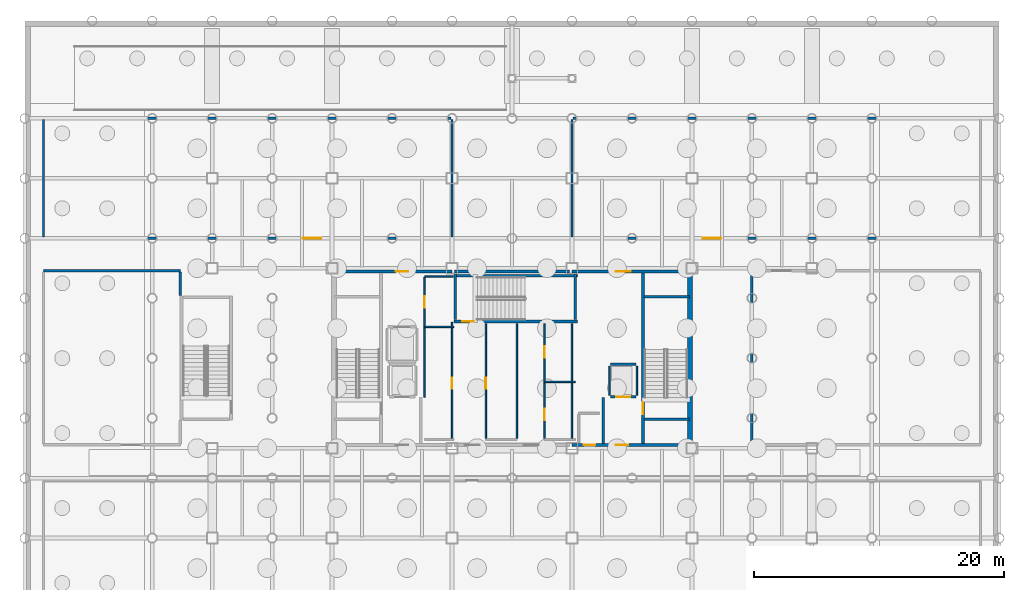
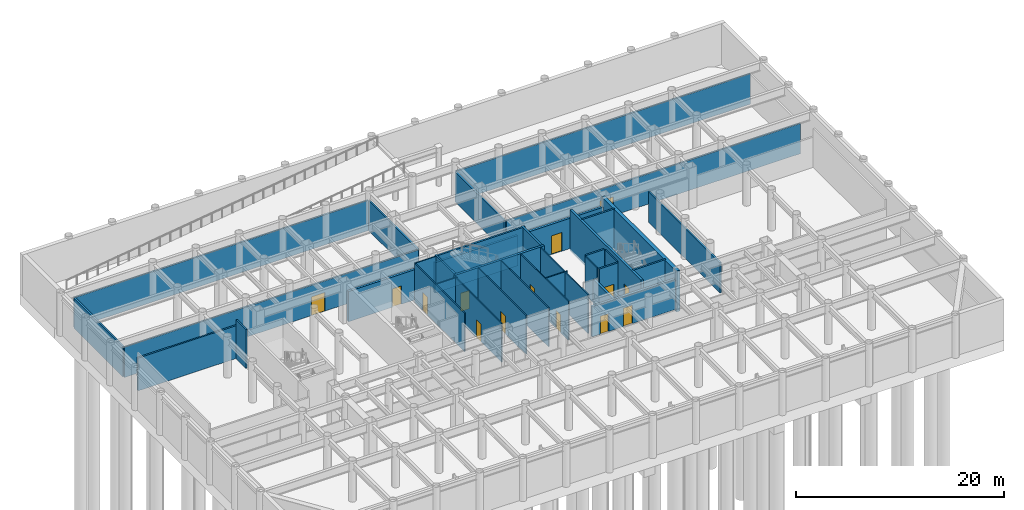
# One storey, part 11 of 17: 36 walls, 14 doors, 14 openings.
"""IFC4 building model written with IfcOpenShell, lengths in metres."""

from ifc_helpers import new_model, si_unit, direction, frame, frame_2d, origin, place, context, subcontext, project, spatial, rectangle, extrude, material, layer, layer_set, type_object, element, fill, save


model = new_model("IFC4")

# Units and contexts
model_context = context("Model", 3, precision=1e-05, world=origin(), true_north=direction((0.0, 1.0)))
body_context = subcontext(model_context, "Body", "Model", "MODEL_VIEW")
ifc_project = project(units=[si_unit("LENGTHUNIT", "METRE"), si_unit("AREAUNIT", "SQUARE_METRE"), si_unit("VOLUMEUNIT", "CUBIC_METRE"), si_unit("PLANEANGLEUNIT", "RADIAN"), si_unit("MASSUNIT", "GRAM", prefix="KILO")], contexts=[model_context])

# Site, building, storey
site_placement = place(None, origin())
site = spatial("IfcSite", under=ifc_project, at=site_placement, CompositionType="ELEMENT")
building_placement = place(site_placement, origin())
building = spatial("IfcBuilding", under=site, at=building_placement, Name="Kallvorn Hotel Tower", CompositionType="ELEMENT")
storey_placement = place(building_placement, frame((0.0, 0.0, -10.199951171875)))
storey = spatial("IfcBuildingStorey", under=building, at=storey_placement, Name="B2", CompositionType="ELEMENT", Elevation=-10.199951171875)

# Walls
ifc_material_1 = material(Name="Concrete C50/60", Category="concrete")
ifc_layer_1 = layer(ifc_material_1, 0.39990234375)
ifc_layer_set_1 = layer_set([ifc_layer_1], Name="WL_CORE_400")
wall_type_1 = type_object("IfcWallType", Name="WL_CORE_400", PredefinedType="SHEAR", material=ifc_layer_set_1)
wall_1_placement = place(storey_placement, frame((14.264892578125, -7.199951171875, -0.25), z_axis=(0.0, 0.0, 1.0), x_axis=(0.0, 1.0, 0.0)))
element("IfcWall", 1, at=wall_1_placement, inside=storey, type_object=wall_type_1, Name="B2 Core East Shear Wall", PredefinedType="SHEAR", context=body_context, shape_type="SweptSolid", body=[
    extrude(rectangle(XDim=14.39990234375, YDim=0.39990234375, at=frame_2d((7.199951171875, 0.0))), origin(), (0.0, 0.0, 1.0), 4.800048828125),
])
ifc_material_2 = material(Name="Fire-rated double-layer acoustic gypsum drywall EI 60")
ifc_layer_2 = layer(ifc_material_2, 0.179931640625)
ifc_layer_set_2 = layer_set([ifc_layer_2], Name="WL_CORR_180")
wall_type_2 = type_object("IfcWallType", Name="WL_CORR_180", PredefinedType="PARTITIONING", material=ifc_layer_set_2)
wall_2_placement = place(storey_placement, frame((-37.5, 7.0, 0.0), z_axis=(0.0, 0.0, 1.0), x_axis=(1.0, 0.0, 0.0)))
element("IfcWall", 2, at=wall_2_placement, inside=storey, type_object=wall_type_2, Name="B2 Central Chiller and Heat-Recovery Plant Room Partition", PredefinedType="PARTITIONING", context=body_context, shape_type="SweptSolid", body=[
    extrude(rectangle(XDim=10.949951171875, YDim=0.179931640625, at=frame_2d((5.47509765625, 0.0))), origin(), (0.0, 0.0, 1.0), 3.849853515625),
])

# Wall, opening, door
wall_3_placement = place(storey_placement, frame((-37.5, 9.60009765625, 0.0), z_axis=(0.0, 0.0, 1.0), x_axis=(1.0, 0.0, 0.0)))
wall_3 = element("IfcWall", 3, at=wall_3_placement, inside=storey, type_object=wall_type_2, Name="B2 Potable Water and Rainwater Cistern Hall Partition", PredefinedType="PARTITIONING", context=body_context, shape_type="SweptSolid", body=[
    extrude(rectangle(XDim=32.6201171875, YDim=0.179931640625, at=frame_2d((16.31005859375, 0.0))), origin(), (0.0, 0.0, 1.0), 3.550048828125),
])
opening_1_placement = place(wall_3_placement, frame((20.75, 0.0, 0.0)))
opening_1 = element("IfcOpeningElement", 4, at=opening_1_placement, cuts=wall_3, Name="Opening PD1", PredefinedType="OPENING", context=body_context, shape_type="SweptSolid", body=[
    extrude(rectangle(XDim=1.5, YDim=2.199951171875, at=frame_2d((0.75, 1.10009765625))), frame((0.0, 0.104736328125, 0.0), z_axis=(0.0, -1.0, 0.0), x_axis=(1.0, 0.0, 0.0)), (0.0, 0.0, 1.0), 0.2099609375),
])
ifc_material_3 = material(Name="Galvanised painted steel fire-rated door assembly", Category="steel")
door_type_1 = type_object("IfcDoorType", Name="DR_PLANT_1500x2200", OperationType="DOUBLE_DOOR_SINGLE_SWING", PredefinedType="DOOR", material=ifc_material_3)
door_1_placement = place(opening_1_placement, origin())
door_1 = element("IfcDoor", 5, at=door_1_placement, inside=storey, type_object=door_type_1, Name="B2 Potable Water and Rainwater Cistern Hall Door", OperationType="DOUBLE_DOOR_SINGLE_SWING", OverallHeight=2.199951171875, OverallWidth=1.5, PredefinedType="DOOR", context=body_context, shape_type="SweptSolid", body=[
    extrude(rectangle(XDim=1.5, YDim=2.199951171875, at=frame_2d((0.75, 1.10009765625))), frame((0.0, 0.02490234375, 0.0), z_axis=(0.0, -1.0, 0.0), x_axis=(1.0, 0.0, 0.0)), (0.0, 0.0, 1.0), 0.050048828125),
])
fill(opening_1, door_1)

wall_4_placement = place(storey_placement, frame((4.8798828125, 9.60009765625, 0.0), z_axis=(0.0, 0.0, 1.0), x_axis=(1.0, 0.0, 0.0)))
wall_4 = element("IfcWall", 6, at=wall_4_placement, inside=storey, type_object=wall_type_2, Name="B2 Fire Reserve Tank and NFPA 20 Pump Room Partition", PredefinedType="PARTITIONING", context=body_context, shape_type="SweptSolid", body=[
    extrude(rectangle(XDim=32.6201171875, YDim=0.179931640625, at=frame_2d((16.31005859375, 0.0))), origin(), (0.0, 0.0, 1.0), 3.550048828125),
])
opening_2_placement = place(wall_4_placement, frame((10.3701171875, 0.0, 0.0)))
opening_2 = element("IfcOpeningElement", 7, at=opening_2_placement, cuts=wall_4, Name="Opening PD1", PredefinedType="OPENING", context=body_context, shape_type="SweptSolid", body=[
    extrude(rectangle(XDim=1.5, YDim=2.199951171875, at=frame_2d((0.75, 1.10009765625))), frame((0.0, 0.104736328125, 0.0), z_axis=(0.0, -1.0, 0.0), x_axis=(1.0, 0.0, 0.0)), (0.0, 0.0, 1.0), 0.2099609375),
])
door_2_placement = place(opening_2_placement, origin())
door_2 = element("IfcDoor", 8, at=door_2_placement, inside=storey, type_object=door_type_1, Name="B2 Fire Reserve Tank and NFPA 20 Pump Room Door", OperationType="DOUBLE_DOOR_SINGLE_SWING", OverallHeight=2.199951171875, OverallWidth=1.5, PredefinedType="DOOR", context=body_context, shape_type="SweptSolid", body=[
    extrude(rectangle(XDim=1.5, YDim=2.199951171875, at=frame_2d((0.75, 1.10009765625))), frame((0.0, 0.02490234375, 0.0), z_axis=(0.0, -1.0, 0.0), x_axis=(1.0, 0.0, 0.0)), (0.0, 0.0, 1.0), 0.050048828125),
])
fill(opening_2, door_2)

# Walls
for number, where, z_axis, x_axis, name in (
    (9, (-37.5, 19.199951171875, 0.0), (0.0, 0.0, 1.0), (1.0, 0.0, 0.0), "B2 Potable Water and Rainwater Cistern Hall Partition"),
    (10, (4.8798828125, 19.199951171875, 0.0), (0.0, 0.0, 1.0), (1.0, 0.0, 0.0), "B2 Fire Reserve Tank and NFPA 20 Pump Room Partition"),
):
    element("IfcWall", number, at=place(storey_placement, frame(where, z_axis=z_axis, x_axis=x_axis)), inside=storey, type_object=wall_type_2, Name=name, PredefinedType="PARTITIONING", context=body_context, shape_type="SweptSolid", body=[
        extrude(rectangle(XDim=32.6201171875, YDim=0.179931640625, at=frame_2d((16.31005859375, 0.0))), origin(), (0.0, 0.0, 1.0), 3.550048828125),
    ])
wall_5_placement = place(storey_placement, frame((-37.5, 9.68505859375, 0.0), z_axis=(0.0, 0.0, 1.0), x_axis=(0.0, 1.0, 0.0)))
element("IfcWall", 11, at=wall_5_placement, inside=storey, type_object=wall_type_2, Name="B2 Potable Water and Rainwater Cistern Hall Partition", PredefinedType="PARTITIONING", context=body_context, shape_type="SweptSolid", body=[
    extrude(rectangle(XDim=9.4150390625, YDim=0.179931640625, at=frame_2d((4.70751953125, 0.0))), origin(), (0.0, 0.0, 1.0), 3.550048828125),
])
wall_6_placement = place(storey_placement, frame((-26.550048828125, 5.0, 0.0), z_axis=(0.0, 0.0, 1.0), x_axis=(0.0, 1.0, 0.0)))
element("IfcWall", 12, at=wall_6_placement, inside=storey, type_object=wall_type_2, Name="B2 Central Chiller and Heat-Recovery Plant Room Partition", PredefinedType="PARTITIONING", context=body_context, shape_type="SweptSolid", body=[
    extrude(rectangle(XDim=1.9150390625, YDim=0.179931640625, at=frame_2d((0.95751953125, 0.0))), origin(), (0.0, 0.0, 1.0), 4.550048828125),
])
for number, where, z_axis, x_axis, name in (
    (13, (-4.800048828125, 9.68505859375, 0.0), (0.0, 0.0, 1.0), (0.0, 1.0, 0.0), "B2 Potable Water and Rainwater Cistern Hall Partition"),
    (14, (4.800048828125, 9.68505859375, 0.0), (0.0, 0.0, 1.0), (0.0, 1.0, 0.0), "B2 Fire Reserve Tank and NFPA 20 Pump Room Partition"),
):
    element("IfcWall", number, at=place(storey_placement, frame(where, z_axis=z_axis, x_axis=x_axis)), inside=storey, type_object=wall_type_2, Name=name, PredefinedType="PARTITIONING", context=body_context, shape_type="SweptSolid", body=[
        extrude(rectangle(XDim=9.4150390625, YDim=0.179931640625, at=frame_2d((4.70751953125, 0.0))), origin(), (0.0, 0.0, 1.0), 3.550048828125),
    ])
wall_7_placement = place(storey_placement, frame((19.199951171875, -6.848388671875, 0.0), z_axis=(0.0, 0.0, 1.0), x_axis=(0.0, 1.0, 0.0)))
element("IfcWall", 15, at=wall_7_placement, inside=storey, type_object=wall_type_2, Name="B2 Medium-Voltage Substation and Standby Generator Hall Partition", PredefinedType="PARTITIONING", context=body_context, shape_type="SweptSolid", body=[
    extrude(rectangle(XDim=13.763427734375, YDim=0.179931640625, at=frame_2d((6.8818359375, 0.0))), origin(), (0.0, 0.0, 1.0), 3.550048828125),
])
ifc_material_4 = material(Name="Concrete C40/50", Category="concrete")
ifc_layer_3 = layer(ifc_material_4, 0.219970703125)
ifc_layer_set_3 = layer_set([ifc_layer_3], Name="WL_FFL_220")
wall_type_3 = type_object("IfcWallType", Name="WL_FFL_220", PredefinedType="SOLIDWALL", material=ifc_layer_set_3)
wall_8_placement = place(storey_placement, frame((7.300048828125, -6.820068359375, 0.0), z_axis=(0.0, 0.0, 1.0), x_axis=(0.0, 1.0, 0.0)))
element("IfcWall", 16, at=wall_8_placement, inside=storey, type_object=wall_type_3, Name="B2 Firefighting Lobby East Divider Wall", PredefinedType="SOLIDWALL", context=body_context, shape_type="SweptSolid", body=[
    extrude(rectangle(XDim=3.670166015625, YDim=0.219970703125, at=frame_2d((1.8349609375, 0.0))), origin(), (0.0, 0.0, 1.0), 3.550048828125),
])
ifc_material_5 = material(Name="Concrete C40/50", Category="concrete")
ifc_layer_4 = layer(ifc_material_5, 0.199951171875)
ifc_layer_set_4 = layer_set([ifc_layer_4], Name="WL_HOIST_200")
wall_type_4 = type_object("IfcWallType", Name="WL_HOIST_200", PredefinedType="SOLIDWALL", material=ifc_layer_set_4)
for number, where, z_axis, x_axis, name in (
    (17, (10.550048828125, -4.89990234375, -0.25), (0.0, 0.0, 1.0), (1.0, 0.0, 0.0), "B2 Stair ST2 South Wall"),
    (18, (10.550048828125, 4.89990234375, -0.25), (0.0, 0.0, 1.0), (1.0, 0.0, 0.0), "B2 Stair ST2 North Wall"),
):
    element("IfcWall", number, at=place(storey_placement, frame(where, z_axis=z_axis, x_axis=x_axis)), inside=storey, type_object=wall_type_4, Name=name, PredefinedType="SOLIDWALL", context=body_context, shape_type="SweptSolid", body=[
        extrude(rectangle(XDim=3.64990234375, YDim=0.199951171875, at=frame_2d((1.824951171875, 0.0))), origin(), (0.0, 0.0, 1.0), 4.800048828125),
    ])
wall_9_placement = place(storey_placement, frame((-4.64990234375, 6.610107421875, -0.25), z_axis=(0.0, 0.0, 1.0), x_axis=(1.0, 0.0, 0.0)))
element("IfcWall", 19, at=wall_9_placement, inside=storey, type_object=wall_type_4, Name="B2 Stair ST3 Shaft North Wall", PredefinedType="SOLIDWALL", context=body_context, shape_type="SweptSolid", body=[
    extrude(rectangle(XDim=9.89990234375, YDim=0.199951171875, at=frame_2d((4.949951171875, 0.0))), origin(), (0.0, 0.0, 1.0), 4.800048828125),
])
for number, where, z_axis, x_axis, name in (
    (20, (-4.550048828125, 3.080078125, -0.25), (0.0, 0.0, 1.0), (0.0, 1.0, 0.0), "B2 Stair ST3 West Wall"),
    (21, (5.06005859375, 3.080078125, -0.25), (0.0, 0.0, 1.0), (0.0, 1.0, 0.0), "B2 Stair ST3 East Wall"),
):
    element("IfcWall", number, at=place(storey_placement, frame(where, z_axis=z_axis, x_axis=x_axis)), inside=storey, type_object=wall_type_4, Name=name, PredefinedType="SOLIDWALL", context=body_context, shape_type="SweptSolid", body=[
        extrude(rectangle(XDim=3.739990234375, YDim=0.199951171875, at=frame_2d((1.8701171875, 0.0))), origin(), (0.0, 0.0, 1.0), 4.800048828125),
    ])

# Wall, opening, door
wall_10_placement = place(storey_placement, frame((7.8798828125, -3.10009765625, 0.0), z_axis=(0.0, 0.0, 1.0), x_axis=(1.0, 0.0, 0.0)))
wall_10 = element("IfcWall", 22, at=wall_10_placement, inside=storey, type_object=wall_type_4, Name="B2 FL-2 Landing Wall", PredefinedType="SOLIDWALL", context=body_context, shape_type="SweptSolid", body=[
    extrude(rectangle(XDim=2.0400390625, YDim=0.199951171875, at=frame_2d((1.02001953125, 0.0))), origin(), (0.0, 0.0, 1.0), 4.550048828125),
])
opening_3_placement = place(wall_10_placement, frame((0.469970703125, 0.0, 0.0)))
opening_3 = element("IfcOpeningElement", 23, at=opening_3_placement, cuts=wall_10, Name="Opening LD-FL-2", PredefinedType="OPENING", context=body_context, shape_type="SweptSolid", body=[
    extrude(rectangle(XDim=1.10009765625, YDim=2.199951171875, at=frame_2d((0.550048828125, 1.10009765625))), frame((0.0, 0.114990234375, 0.0), z_axis=(0.0, -1.0, 0.0), x_axis=(1.0, 0.0, 0.0)), (0.0, 0.0, 1.0), 0.22998046875),
])
ifc_material_6 = material(Name="Brushed stainless-steel automatic sliding lift landing door", Category="steel")
door_type_2 = type_object("IfcDoorType", Name="LD_PASS_1100x2200", OperationType="SLIDING_TO_LEFT", PredefinedType="DOOR", material=ifc_material_6)
door_3_placement = place(opening_3_placement, origin())
door_3 = element("IfcDoor", 24, at=door_3_placement, inside=storey, type_object=door_type_2, Name="B2 Lift Landing Sliding Door LD-FL-2", OperationType="SLIDING_TO_LEFT", OverallHeight=2.199951171875, OverallWidth=1.10009765625, PredefinedType="DOOR", context=body_context, shape_type="SweptSolid", body=[
    extrude(rectangle(XDim=1.10009765625, YDim=2.199951171875, at=frame_2d((0.550048828125, 1.10009765625))), frame((0.0, 0.02490234375, 0.0), z_axis=(0.0, -1.0, 0.0), x_axis=(1.0, 0.0, 0.0)), (0.0, 0.0, 1.0), 0.050048828125),
])
fill(opening_3, door_3)

# Walls
wall_11_placement = place(storey_placement, frame((7.8798828125, -0.5, 0.0), z_axis=(0.0, 0.0, 1.0), x_axis=(1.0, 0.0, 0.0)))
element("IfcWall", 25, at=wall_11_placement, inside=storey, type_object=wall_type_4, Name="B2 FL-2 Rear Shaft Wall", PredefinedType="SOLIDWALL", context=body_context, shape_type="SweptSolid", body=[
    extrude(rectangle(XDim=2.0400390625, YDim=0.199951171875, at=frame_2d((1.02001953125, 0.0))), origin(), (0.0, 0.0, 1.0), 4.550048828125),
])
ifc_material_7 = material(Name="Fire-rated double-layer acoustic gypsum drywall EI 60")
ifc_layer_5 = layer(ifc_material_7, 0.1201171875)
ifc_layer_set_5 = layer_set([ifc_layer_5], Name="WL_INT_120")
wall_type_5 = type_object("IfcWallType", Name="WL_INT_120", PredefinedType="PARTITIONING", material=ifc_layer_set_5)
for number, where, z_axis, x_axis, name in (
    (26, (7.800048828125, -2.9599609375, 0.0), (0.0, 0.0, 1.0), (0.0, 1.0, 0.0), "B2 FL-2 West Shaft Wall"),
    (27, (10.0, -2.9599609375, 0.0), (0.0, 0.0, 1.0), (0.0, 1.0, 0.0), "B2 FL-2 East Shaft Wall"),
):
    element("IfcWall", number, at=place(storey_placement, frame(where, z_axis=z_axis, x_axis=x_axis)), inside=storey, type_object=wall_type_5, Name=name, PredefinedType="PARTITIONING", context=body_context, shape_type="SweptSolid", body=[
        extrude(rectangle(XDim=2.320068359375, YDim=0.1201171875, at=frame_2d((1.16015625, 0.0))), origin(), (0.0, 0.0, 1.0), 4.550048828125),
    ])
wall_12_placement = place(storey_placement, frame((2.60009765625, -1.89990234375, 0.0), z_axis=(0.0, 0.0, 1.0), x_axis=(1.0, 0.0, 0.0)))
element("IfcWall", 28, at=wall_12_placement, inside=storey, type_object=wall_type_5, Name="B2 East Core Amenities and Minibar Store Partition", PredefinedType="PARTITIONING", context=body_context, shape_type="SweptSolid", body=[
    extrude(rectangle(XDim=2.449951171875, YDim=0.1201171875, at=frame_2d((1.22509765625, 0.0))), origin(), (0.0, 0.0, 1.0), 4.550048828125),
])
wall_13_placement = place(storey_placement, frame((-7.0, 2.5, 0.0), z_axis=(0.0, 0.0, 1.0), x_axis=(1.0, 0.0, 0.0)))
element("IfcWall", 29, at=wall_13_placement, inside=storey, type_object=wall_type_5, Name="B2 Basement Core Cleaners Store Partition", PredefinedType="PARTITIONING", context=body_context, shape_type="SweptSolid", body=[
    extrude(rectangle(XDim=2.35009765625, YDim=0.1201171875, at=frame_2d((1.175048828125, 0.0))), origin(), (0.0, 0.0, 1.0), 4.550048828125),
])
wall_14_placement = place(storey_placement, frame((-7.0, 6.550048828125, 0.0), z_axis=(0.0, 0.0, 1.0), x_axis=(1.0, 0.0, 0.0)))
element("IfcWall", 30, at=wall_14_placement, inside=storey, type_object=wall_type_5, Name="B2 Basement Core Cleaners Store Partition", PredefinedType="PARTITIONING", context=body_context, shape_type="SweptSolid", body=[
    extrude(rectangle(XDim=2.31005859375, YDim=0.1201171875, at=frame_2d((1.155029296875, 0.0))), origin(), (0.0, 0.0, 1.0), 4.550048828125),
])

# Wall, opening, door
wall_15_placement = place(storey_placement, frame((-7.0, -3.110107421875, 0.0), z_axis=(0.0, 0.0, 1.0), x_axis=(0.0, 1.0, 0.0)))
wall_15 = element("IfcWall", 31, at=wall_15_placement, inside=storey, type_object=wall_type_5, Name="B2 Basement Core Linen and Equipment Store Partition", PredefinedType="PARTITIONING", context=body_context, shape_type="SweptSolid", body=[
    extrude(rectangle(XDim=9.5751953125, YDim=0.1201171875, at=frame_2d((4.78759765625, 0.0))), origin(), (0.0, 0.0, 1.0), 4.550048828125),
])
opening_4_placement = place(wall_15_placement, frame((7.159912109375, 0.0, 0.0)))
opening_4 = element("IfcOpeningElement", 32, at=opening_4_placement, cuts=wall_15, Name="Opening SVD1", PredefinedType="OPENING", context=body_context, shape_type="SweptSolid", body=[
    extrude(rectangle(XDim=0.89990234375, YDim=2.10009765625, at=frame_2d((0.449951171875, 1.050048828125))), frame((0.0, 0.074951171875, 0.0), z_axis=(0.0, -1.0, 0.0), x_axis=(1.0, 0.0, 0.0)), (0.0, 0.0, 1.0), 0.150146484375),
])
ifc_material_8 = material(Name="Galvanised painted steel fire-rated door assembly", Category="steel")
door_type_3 = type_object("IfcDoorType", Name="DR_SERV_900x2100", OperationType="NOTDEFINED", PredefinedType="DOOR", material=ifc_material_8)
door_4_placement = place(opening_4_placement, origin())
door_4 = element("IfcDoor", 33, at=door_4_placement, inside=storey, type_object=door_type_3, Name="B2 Basement Core Cleaners Store Door", OperationType="SINGLE_SWING_LEFT", OverallHeight=2.10009765625, OverallWidth=0.89990234375, PredefinedType="DOOR", context=body_context, shape_type="SweptSolid", body=[
    extrude(rectangle(XDim=0.89990234375, YDim=2.10009765625, at=frame_2d((0.449951171875, 1.050048828125))), frame((0.0, 0.02490234375, 0.0), z_axis=(0.0, -1.0, 0.0), x_axis=(1.0, 0.0, 0.0)), (0.0, 0.0, 1.0), 0.050048828125),
])
fill(opening_4, door_4)

wall_16_placement = place(storey_placement, frame((-4.800048828125, -6.4150390625, 0.0), z_axis=(0.0, 0.0, 1.0), x_axis=(0.0, 1.0, 0.0)))
wall_16 = element("IfcWall", 34, at=wall_16_placement, inside=storey, type_object=wall_type_5, Name="B2 Basement Core Linen and Equipment Store Partition", PredefinedType="PARTITIONING", context=body_context, shape_type="SweptSolid", body=[
    extrude(rectangle(XDim=9.280029296875, YDim=0.1201171875, at=frame_2d((4.64013671875, 0.0))), origin(), (0.0, 0.0, 1.0), 4.550048828125),
])
opening_5_placement = place(wall_16_placement, frame((3.965087890625, 0.0, 0.0)))
opening_5 = element("IfcOpeningElement", 35, at=opening_5_placement, cuts=wall_16, Name="Opening SVD1", PredefinedType="OPENING", context=body_context, shape_type="SweptSolid", body=[
    extrude(rectangle(XDim=0.89990234375, YDim=2.10009765625, at=frame_2d((0.449951171875, 1.050048828125))), frame((0.0, 0.074951171875, 0.0), z_axis=(0.0, -1.0, 0.0), x_axis=(1.0, 0.0, 0.0)), (0.0, 0.0, 1.0), 0.150146484375),
])
door_5_placement = place(opening_5_placement, origin())
door_5 = element("IfcDoor", 36, at=door_5_placement, inside=storey, type_object=door_type_3, Name="B2 Basement Core Linen and Equipment Store Door", OperationType="SINGLE_SWING_LEFT", OverallHeight=2.10009765625, OverallWidth=0.89990234375, PredefinedType="DOOR", context=body_context, shape_type="SweptSolid", body=[
    extrude(rectangle(XDim=0.89990234375, YDim=2.10009765625, at=frame_2d((0.449951171875, 1.050048828125))), frame((0.0, 0.02490234375, 0.0), z_axis=(0.0, -1.0, 0.0), x_axis=(1.0, 0.0, 0.0)), (0.0, 0.0, 1.0), 0.050048828125),
])
fill(opening_5, door_5)

wall_17_placement = place(storey_placement, frame((-2.10009765625, -6.4150390625, 0.0), z_axis=(0.0, 0.0, 1.0), x_axis=(0.0, 1.0, 0.0)))
wall_17 = element("IfcWall", 37, at=wall_17_placement, inside=storey, type_object=wall_type_5, Name="B2 Basement Mechanical Services Room Partition", PredefinedType="PARTITIONING", context=body_context, shape_type="SweptSolid", body=[
    extrude(rectangle(XDim=9.1650390625, YDim=0.1201171875, at=frame_2d((4.58251953125, 0.0))), origin(), (0.0, 0.0, 1.0), 4.550048828125),
])
opening_6_placement = place(wall_17_placement, frame((3.965087890625, 0.0, 0.0)))
opening_6 = element("IfcOpeningElement", 38, at=opening_6_placement, cuts=wall_17, Name="Opening SVD1", PredefinedType="OPENING", context=body_context, shape_type="SweptSolid", body=[
    extrude(rectangle(XDim=0.89990234375, YDim=2.10009765625, at=frame_2d((0.449951171875, 1.050048828125))), frame((0.0, 0.074951171875, 0.0), z_axis=(0.0, -1.0, 0.0), x_axis=(1.0, 0.0, 0.0)), (0.0, 0.0, 1.0), 0.150146484375),
])
door_6_placement = place(opening_6_placement, origin())
door_6 = element("IfcDoor", 39, at=door_6_placement, inside=storey, type_object=door_type_3, Name="B2 Basement Mechanical Services Room Door", OperationType="SINGLE_SWING_LEFT", OverallHeight=2.10009765625, OverallWidth=0.89990234375, PredefinedType="DOOR", context=body_context, shape_type="SweptSolid", body=[
    extrude(rectangle(XDim=0.89990234375, YDim=2.10009765625, at=frame_2d((0.449951171875, 1.050048828125))), frame((0.0, 0.02490234375, 0.0), z_axis=(0.0, -1.0, 0.0), x_axis=(1.0, 0.0, 0.0)), (0.0, 0.0, 1.0), 0.050048828125),
])
fill(opening_6, door_6)

# Wall
wall_18_placement = place(storey_placement, frame((0.39990234375, -6.4150390625, 0.0), z_axis=(0.0, 0.0, 1.0), x_axis=(0.0, 1.0, 0.0)))
element("IfcWall", 40, at=wall_18_placement, inside=storey, type_object=wall_type_5, Name="B2 Basement Mechanical Services Room Partition", PredefinedType="PARTITIONING", context=body_context, shape_type="SweptSolid", body=[
    extrude(rectangle(XDim=9.1650390625, YDim=0.1201171875, at=frame_2d((4.58251953125, 0.0))), origin(), (0.0, 0.0, 1.0), 4.550048828125),
])

# Wall, openings, doors
wall_19_placement = place(storey_placement, frame((2.60009765625, -6.4150390625, 0.0), z_axis=(0.0, 0.0, 1.0), x_axis=(0.0, 1.0, 0.0)))
wall_19 = element("IfcWall", 41, at=wall_19_placement, inside=storey, type_object=wall_type_5, Name="B2 East Core Amenities and Minibar Store Partition", PredefinedType="PARTITIONING", context=body_context, shape_type="SweptSolid", body=[
    extrude(rectangle(XDim=9.1650390625, YDim=0.1201171875, at=frame_2d((4.58251953125, 0.0))), origin(), (0.0, 0.0, 1.0), 4.550048828125),
])
opening_7_placement = place(wall_19_placement, frame((1.465087890625, 0.0, 0.0)))
opening_7 = element("IfcOpeningElement", 42, at=opening_7_placement, cuts=wall_19, Name="Opening SVD1", PredefinedType="OPENING", context=body_context, shape_type="SweptSolid", body=[
    extrude(rectangle(XDim=0.89990234375, YDim=2.10009765625, at=frame_2d((0.449951171875, 1.050048828125))), frame((0.0, 0.074951171875, 0.0), z_axis=(0.0, -1.0, 0.0), x_axis=(1.0, 0.0, 0.0)), (0.0, 0.0, 1.0), 0.150146484375),
])
opening_8_placement = place(wall_19_placement, frame((6.465087890625, 0.0, 0.0)))
opening_8 = element("IfcOpeningElement", 43, at=opening_8_placement, cuts=wall_19, Name="Opening SVD1", PredefinedType="OPENING", context=body_context, shape_type="SweptSolid", body=[
    extrude(rectangle(XDim=0.89990234375, YDim=2.10009765625, at=frame_2d((0.449951171875, 1.050048828125))), frame((0.0, 0.074951171875, 0.0), z_axis=(0.0, -1.0, 0.0), x_axis=(1.0, 0.0, 0.0)), (0.0, 0.0, 1.0), 0.150146484375),
])
door_7_placement = place(opening_7_placement, origin())
door_7 = element("IfcDoor", 44, at=door_7_placement, inside=storey, type_object=door_type_3, Name="B2 East Core Amenities and Minibar Store Door", OperationType="SINGLE_SWING_LEFT", OverallHeight=2.10009765625, OverallWidth=0.89990234375, PredefinedType="DOOR", context=body_context, shape_type="SweptSolid", body=[
    extrude(rectangle(XDim=0.89990234375, YDim=2.10009765625, at=frame_2d((0.449951171875, 1.050048828125))), frame((0.0, 0.02490234375, 0.0), z_axis=(0.0, -1.0, 0.0), x_axis=(1.0, 0.0, 0.0)), (0.0, 0.0, 1.0), 0.050048828125),
])
fill(opening_7, door_7)
door_8_placement = place(opening_8_placement, origin())
door_8 = element("IfcDoor", 45, at=door_8_placement, inside=storey, type_object=door_type_3, Name="B2 East Core Cleaners and Janitor Room Door", OperationType="SINGLE_SWING_RIGHT", OverallHeight=2.10009765625, OverallWidth=0.89990234375, PredefinedType="DOOR", context=body_context, shape_type="SweptSolid", body=[
    extrude(rectangle(XDim=0.89990234375, YDim=2.10009765625, at=frame_2d((0.449951171875, 1.050048828125))), frame((0.0, 0.02490234375, 0.0), z_axis=(0.0, -1.0, 0.0), x_axis=(1.0, 0.0, 0.0)), (0.0, 0.0, 1.0), 0.050048828125),
])
fill(opening_8, door_8)

# Wall
wall_20_placement = place(storey_placement, frame((4.800048828125, -6.4150390625, 0.0), z_axis=(0.0, 0.0, 1.0), x_axis=(0.0, 1.0, 0.0)))
element("IfcWall", 46, at=wall_20_placement, inside=storey, type_object=wall_type_5, Name="B2 East Core Amenities and Minibar Store Partition", PredefinedType="PARTITIONING", context=body_context, shape_type="SweptSolid", body=[
    extrude(rectangle(XDim=9.1650390625, YDim=0.1201171875, at=frame_2d((4.58251953125, 0.0))), origin(), (0.0, 0.0, 1.0), 4.550048828125),
])

# Wall, openings, doors
ifc_material_9 = material(Name="Concrete C40/50", Category="concrete")
ifc_layer_6 = layer(ifc_material_9, 0.25)
ifc_layer_set_6 = layer_set([ifc_layer_6], Name="WL_SHAFT_250")
wall_type_6 = type_object("IfcWallType", Name="WL_SHAFT_250", PredefinedType="SOLIDWALL", material=ifc_layer_set_6)
wall_21_placement = place(storey_placement, frame((4.800048828125, -6.949951171875, 0.0), z_axis=(0.0, 0.0, 1.0), x_axis=(1.0, 0.0, 0.0)))
wall_21 = element("IfcWall", 47, at=wall_21_placement, inside=storey, type_object=wall_type_6, Name="B2 Core South-East Wall", PredefinedType="SOLIDWALL", context=body_context, shape_type="SweptSolid", body=[
    extrude(rectangle(XDim=9.39990234375, YDim=0.25, at=frame_2d((4.699951171875, 0.0))), origin(), (0.0, 0.0, 1.0), 3.550048828125),
])
opening_9_placement = place(wall_21_placement, frame((3.5, 0.0, 0.0)))
opening_9 = element("IfcOpeningElement", 48, at=opening_9_placement, cuts=wall_21, Name="Opening FD1", PredefinedType="OPENING", context=body_context, shape_type="SweptSolid", body=[
    extrude(rectangle(XDim=1.0, YDim=2.14990234375, at=frame_2d((0.5, 1.074951171875))), frame((0.0, 0.139892578125, 0.0), z_axis=(0.0, -1.0, 0.0), x_axis=(1.0, 0.0, 0.0)), (0.0, 0.0, 1.0), 0.280029296875),
])
opening_10_placement = place(wall_21_placement, frame((0.949951171875, 0.0, 0.0)))
opening_10 = element("IfcOpeningElement", 49, at=opening_10_placement, cuts=wall_21, Name="Opening SVD1", PredefinedType="OPENING", context=body_context, shape_type="SweptSolid", body=[
    extrude(rectangle(XDim=0.89990234375, YDim=2.10009765625, at=frame_2d((0.449951171875, 1.050048828125))), frame((0.0, 0.139892578125, 0.0), z_axis=(0.0, -1.0, 0.0), x_axis=(1.0, 0.0, 0.0)), (0.0, 0.0, 1.0), 0.280029296875),
])
ifc_material_10 = material(Name="Galvanised painted steel fire-rated door assembly", Category="steel")
door_type_4 = type_object("IfcDoorType", Name="DR_FFL_1000x2150", OperationType="NOTDEFINED", PredefinedType="DOOR", material=ifc_material_10)
door_9_placement = place(opening_9_placement, origin())
door_9 = element("IfcDoor", 50, at=door_9_placement, inside=storey, type_object=door_type_4, Name="B2 Firefighting Lobby East Door", OperationType="SINGLE_SWING_LEFT", OverallHeight=2.14990234375, OverallWidth=1.0, PredefinedType="DOOR", context=body_context, shape_type="SweptSolid", body=[
    extrude(rectangle(XDim=1.0, YDim=2.14990234375, at=frame_2d((0.5, 1.074951171875))), frame((0.0, 0.02490234375, 0.0), z_axis=(0.0, -1.0, 0.0), x_axis=(1.0, 0.0, 0.0)), (0.0, 0.0, 1.0), 0.050048828125),
])
fill(opening_9, door_9)
door_10_placement = place(opening_10_placement, origin())
door_10 = element("IfcDoor", 51, at=door_10_placement, inside=storey, type_object=door_type_3, Name="B2 Core Staff Restroom WC Door", OperationType="SINGLE_SWING_LEFT", OverallHeight=2.10009765625, OverallWidth=0.89990234375, PredefinedType="DOOR", context=body_context, shape_type="SweptSolid", body=[
    extrude(rectangle(XDim=0.89990234375, YDim=2.10009765625, at=frame_2d((0.449951171875, 1.050048828125))), frame((0.0, 0.02490234375, 0.0), z_axis=(0.0, -1.0, 0.0), x_axis=(1.0, 0.0, 0.0)), (0.0, 0.0, 1.0), 0.050048828125),
])
fill(opening_10, door_10)

# Wall, opening, door
wall_22_placement = place(storey_placement, frame((-14.199951171875, 6.949951171875, 0.0), z_axis=(0.0, 0.0, 1.0), x_axis=(1.0, 0.0, 0.0)))
wall_22 = element("IfcWall", 52, at=wall_22_placement, inside=storey, type_object=wall_type_6, Name="B2 Core North-West Wall", PredefinedType="SOLIDWALL", context=body_context, shape_type="SweptSolid", body=[
    extrude(rectangle(XDim=9.39990234375, YDim=0.25, at=frame_2d((4.699951171875, 0.0))), origin(), (0.0, 0.0, 1.0), 3.550048828125),
])
opening_11_placement = place(wall_22_placement, frame((4.89990234375, 0.0, 0.0)))
opening_11 = element("IfcOpeningElement", 53, at=opening_11_placement, cuts=wall_22, Name="Opening FD1", PredefinedType="OPENING", context=body_context, shape_type="SweptSolid", body=[
    extrude(rectangle(XDim=1.0, YDim=2.14990234375, at=frame_2d((0.5, 1.074951171875))), frame((0.0, 0.139892578125, 0.0), z_axis=(0.0, -1.0, 0.0), x_axis=(1.0, 0.0, 0.0)), (0.0, 0.0, 1.0), 0.280029296875),
])
door_11_placement = place(opening_11_placement, origin())
door_11 = element("IfcDoor", 54, at=door_11_placement, inside=storey, type_object=door_type_4, Name="B2 Service Lift Lobby Door", OperationType="SINGLE_SWING_RIGHT", OverallHeight=2.14990234375, OverallWidth=1.0, PredefinedType="DOOR", context=body_context, shape_type="SweptSolid", body=[
    extrude(rectangle(XDim=1.0, YDim=2.14990234375, at=frame_2d((0.5, 1.074951171875))), frame((0.0, 0.02490234375, 0.0), z_axis=(0.0, -1.0, 0.0), x_axis=(1.0, 0.0, 0.0)), (0.0, 0.0, 1.0), 0.050048828125),
])
fill(opening_11, door_11)

# Wall
wall_23_placement = place(storey_placement, frame((-4.60009765625, 6.949951171875, 0.0), z_axis=(0.0, 0.0, 1.0), x_axis=(1.0, 0.0, 0.0)))
element("IfcWall", 55, at=wall_23_placement, inside=storey, type_object=wall_type_6, Name="B2 Core North-Central Wall", PredefinedType="SOLIDWALL", context=body_context, shape_type="SweptSolid", body=[
    extrude(rectangle(XDim=9.2001953125, YDim=0.25, at=frame_2d((4.60009765625, 0.0))), origin(), (0.0, 0.0, 1.0), 3.550048828125),
])

# Wall, opening, door
wall_24_placement = place(storey_placement, frame((4.800048828125, 6.949951171875, 0.0), z_axis=(0.0, 0.0, 1.0), x_axis=(1.0, 0.0, 0.0)))
wall_24 = element("IfcWall", 56, at=wall_24_placement, inside=storey, type_object=wall_type_6, Name="B2 Core North-East Wall", PredefinedType="SOLIDWALL", context=body_context, shape_type="SweptSolid", body=[
    extrude(rectangle(XDim=9.39990234375, YDim=0.25, at=frame_2d((4.699951171875, 0.0))), origin(), (0.0, 0.0, 1.0), 3.550048828125),
])
opening_12_placement = place(wall_24_placement, frame((3.5, 0.0, 0.0)))
opening_12 = element("IfcOpeningElement", 57, at=opening_12_placement, cuts=wall_24, Name="Opening FD2", PredefinedType="OPENING", context=body_context, shape_type="SweptSolid", body=[
    extrude(rectangle(XDim=1.199951171875, YDim=2.199951171875, at=frame_2d((0.60009765625, 1.10009765625))), frame((0.0, 0.139892578125, 0.0), z_axis=(0.0, -1.0, 0.0), x_axis=(1.0, 0.0, 0.0)), (0.0, 0.0, 1.0), 0.280029296875),
])
ifc_material_11 = material(Name="Galvanised painted steel fire-rated door assembly", Category="steel")
door_type_5 = type_object("IfcDoorType", Name="DR_LOBBY_1200x2200", OperationType="DOUBLE_DOOR_SINGLE_SWING", PredefinedType="DOOR", material=ifc_material_11)
door_12_placement = place(opening_12_placement, origin())
door_12 = element("IfcDoor", 58, at=door_12_placement, inside=storey, type_object=door_type_5, Name="B2 Observatory Shuttle Lobby Door", OperationType="DOUBLE_DOOR_SINGLE_SWING", OverallHeight=2.199951171875, OverallWidth=1.199951171875, PredefinedType="DOOR", context=body_context, shape_type="SweptSolid", body=[
    extrude(rectangle(XDim=1.199951171875, YDim=2.199951171875, at=frame_2d((0.60009765625, 1.10009765625))), frame((0.0, 0.02490234375, 0.0), z_axis=(0.0, -1.0, 0.0), x_axis=(1.0, 0.0, 0.0)), (0.0, 0.0, 1.0), 0.050048828125),
])
fill(opening_12, door_12)

wall_25_placement = place(storey_placement, frame((10.5, -6.820068359375, -0.25), z_axis=(0.0, 0.0, 1.0), x_axis=(0.0, 1.0, 0.0)))
wall_25 = element("IfcWall", 59, at=wall_25_placement, inside=storey, type_object=wall_type_6, Name="B2 Stair ST2 Shaft Wall", PredefinedType="SOLIDWALL", context=body_context, shape_type="SweptSolid", body=[
    extrude(rectangle(XDim=13.64013671875, YDim=0.25, at=frame_2d((6.820068359375, 0.0))), origin(), (0.0, 0.0, 1.0), 4.800048828125),
])
opening_13_placement = place(wall_25_placement, frame((2.320068359375, 0.0, 0.25)))
opening_13 = element("IfcOpeningElement", 60, at=opening_13_placement, cuts=wall_25, Name="Opening SD1", PredefinedType="OPENING", context=body_context, shape_type="SweptSolid", body=[
    extrude(rectangle(XDim=0.949951171875, YDim=2.14990234375, at=frame_2d((0.47509765625, 1.074951171875))), frame((0.0, 0.139892578125, 0.0), z_axis=(0.0, -1.0, 0.0), x_axis=(1.0, 0.0, 0.0)), (0.0, 0.0, 1.0), 0.280029296875),
])
ifc_material_12 = material(Name="Galvanised painted steel fire-rated door assembly", Category="steel")
door_type_6 = type_object("IfcDoorType", Name="DR_STAIR_950x2150", OperationType="NOTDEFINED", PredefinedType="DOOR", material=ifc_material_12)
door_13_placement = place(opening_13_placement, origin())
door_13 = element("IfcDoor", 61, at=door_13_placement, inside=storey, type_object=door_type_6, Name="B2 Exit Stair ST2 Fire Door", OperationType="SINGLE_SWING_LEFT", OverallHeight=2.14990234375, OverallWidth=0.949951171875, PredefinedType="DOOR", context=body_context, shape_type="SweptSolid", body=[
    extrude(rectangle(XDim=0.949951171875, YDim=2.14990234375, at=frame_2d((0.47509765625, 1.074951171875))), frame((0.0, 0.02490234375, 0.0), z_axis=(0.0, -1.0, 0.0), x_axis=(1.0, 0.0, 0.0)), (0.0, 0.0, 1.0), 0.050048828125),
])
fill(opening_13, door_13)

wall_26_placement = place(storey_placement, frame((-4.64990234375, 2.949951171875, -0.25), z_axis=(0.0, 0.0, 1.0), x_axis=(1.0, 0.0, 0.0)))
wall_26 = element("IfcWall", 62, at=wall_26_placement, inside=storey, type_object=wall_type_6, Name="B2 Stair ST3 Shaft South Wall", PredefinedType="SOLIDWALL", context=body_context, shape_type="SweptSolid", body=[
    extrude(rectangle(XDim=9.89990234375, YDim=0.25, at=frame_2d((4.949951171875, 0.0))), origin(), (0.0, 0.0, 1.0), 4.800048828125),
])
opening_14_placement = place(wall_26_placement, frame((0.64990234375, 0.0, 0.25)))
opening_14 = element("IfcOpeningElement", 63, at=opening_14_placement, cuts=wall_26, Name="Opening SD1", PredefinedType="OPENING", context=body_context, shape_type="SweptSolid", body=[
    extrude(rectangle(XDim=0.949951171875, YDim=2.14990234375, at=frame_2d((0.47509765625, 1.074951171875))), frame((0.0, 0.139892578125, 0.0), z_axis=(0.0, -1.0, 0.0), x_axis=(1.0, 0.0, 0.0)), (0.0, 0.0, 1.0), 0.280029296875),
])
door_14_placement = place(opening_14_placement, origin())
door_14 = element("IfcDoor", 64, at=door_14_placement, inside=storey, type_object=door_type_6, Name="B2 Exit Stair ST3 Fire Door", OperationType="SINGLE_SWING_RIGHT", OverallHeight=2.14990234375, OverallWidth=0.949951171875, PredefinedType="DOOR", context=body_context, shape_type="SweptSolid", body=[
    extrude(rectangle(XDim=0.949951171875, YDim=2.14990234375, at=frame_2d((0.47509765625, 1.074951171875))), frame((0.0, 0.02490234375, 0.0), z_axis=(0.0, -1.0, 0.0), x_axis=(1.0, 0.0, 0.0)), (0.0, 0.0, 1.0), 0.050048828125),
])
fill(opening_14, door_14)

save(model, "model.ifc")
